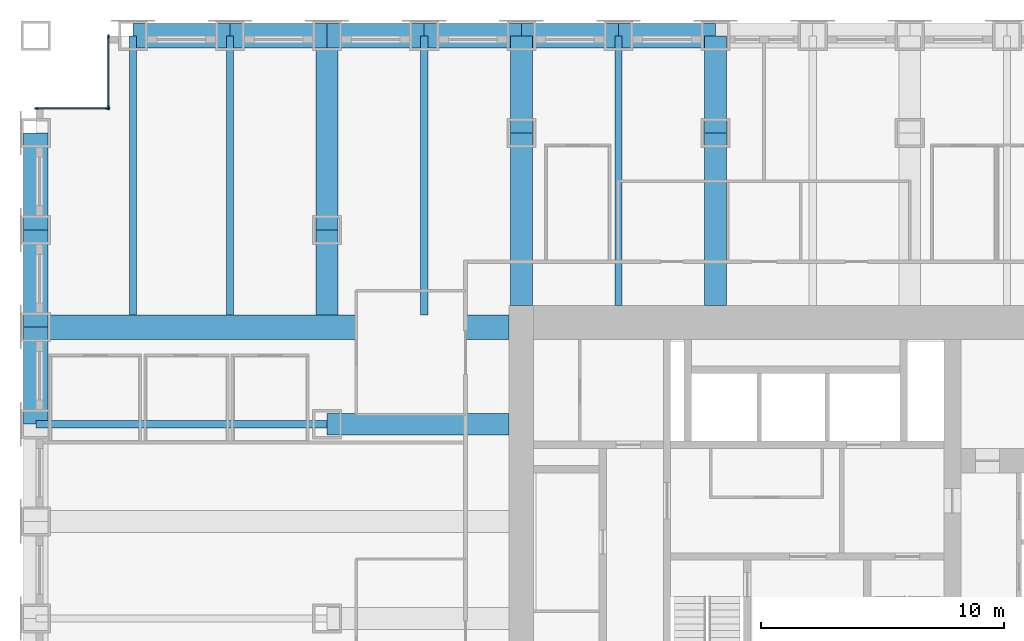
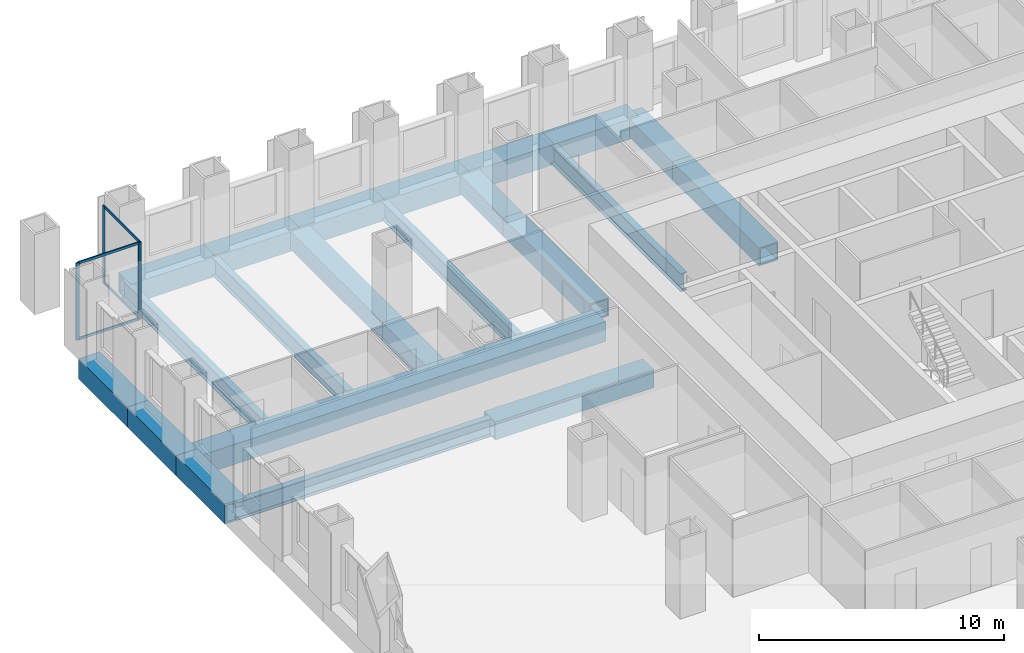
# One storey, part 5 of 14: 22 beams, 8 members, 2 elements without a shape of their own.
"""IFC4 building model written with IfcOpenShell, lengths in metres."""

from ifc_helpers import new_model, si_unit, direction, frame, origin, origin_2d, place, context, subcontext, project, spatial, rectangle, hollow_rectangle, i_section, extrude, material, material_profile, profile_set, type_object, element, aggregate, save


model = new_model("IFC4")

# Units and contexts
model_context = context("Model", 3, precision=1e-05, world=origin(), true_north=direction((0.0, 1.0)))
body_context = subcontext(model_context, "Body", "Model", "MODEL_VIEW")
ifc_project = project(units=[si_unit("LENGTHUNIT", "METRE"), si_unit("AREAUNIT", "SQUARE_METRE"), si_unit("VOLUMEUNIT", "CUBIC_METRE"), si_unit("PLANEANGLEUNIT", "RADIAN"), si_unit("MASSUNIT", "GRAM", prefix="KILO")], contexts=[model_context])

# Site, building, storey
site_placement = place(None, origin())
site = spatial("IfcSite", under=ifc_project, at=site_placement, CompositionType="ELEMENT")
building_placement = place(site_placement, origin())
building = spatial("IfcBuilding", under=site, at=building_placement, Name="Rimbunsela Tower", CompositionType="ELEMENT")
storey_placement = place(building_placement, frame((0.0, 0.0, 59.0)))
storey = spatial("IfcBuildingStorey", under=building, at=storey_placement, Name="L14", CompositionType="ELEMENT", Elevation=59.0)

# Beams
ifc_material_1 = material(Name="Steel BJ 55 (fy 410 MPa)", Category="steel")
ifc_material_profile_1 = material_profile(ifc_material_1, hollow_rectangle(XDim=1.0, YDim=1.0, WallThickness=0.10009765625, at=origin_2d()), Name="BOX 1000x1000x100")
ifc_profile_set_1 = profile_set([ifc_material_profile_1], Name="Steel BJ 55 (fy 410 MPa)")
beam_type_1 = type_object("IfcBeamType", Name="Beam BOX 1000x1000x100", PredefinedType="BEAM", material=ifc_profile_set_1)
for number, where, z_axis, x_axis, name in (
    (1, (-2.0, 32.0, -0.64990234375), (0.0, 1.0, 0.0), (-1.0, 0.0, 0.0), "Beam B3 L14"),
    (2, (-2.0, 36.0, -0.64990234375), (0.0, 1.0, 0.0), (-1.0, 0.0, 0.0), "Beam B3 L14"),
):
    element("IfcBeam", number, at=place(storey_placement, frame(where, z_axis=z_axis, x_axis=x_axis)), inside=storey, type_object=beam_type_1, Name=name, PredefinedType="BEAM", context=body_context, shape_type="SweptSolid", body=[
        extrude(hollow_rectangle(XDim=1.0, YDim=1.0, WallThickness=0.10009765625, at=origin_2d()), origin(), (0.0, 0.0, 1.0), 4.0),
    ])
beam_1_placement = place(storey_placement, frame((-2.0, 36.0, -0.64990234375), z_axis=(1.0, 0.0, 0.0), x_axis=(0.0, 1.0, 0.0)))
element("IfcBeam", 3, at=beam_1_placement, inside=storey, type_object=beam_type_1, Name="Beam B3 L14", PredefinedType="BEAM", context=body_context, shape_type="SweptSolid", body=[
    extrude(hollow_rectangle(XDim=1.0, YDim=1.0, WallThickness=0.10009765625, at=origin_2d()), origin(), (0.0, 0.0, 1.0), 19.5),
])
for number, where, z_axis, x_axis, name in (
    (4, (-2.0, 40.0, -0.64990234375), (0.0, 1.0, 0.0), (-1.0, 0.0, 0.0), "Beam B3 L14"),
    (5, (2.0, 48.0, -0.64990234375), (1.0, 0.0, 0.0), (0.0, 1.0, 0.0), "Beam B3 L14"),
    (6, (6.0, 48.0, -0.64990234375), (1.0, 0.0, 0.0), (0.0, 1.0, 0.0), "Beam B3 L14"),
    (7, (10.0, 48.0, -0.64990234375), (1.0, 0.0, 0.0), (0.0, 1.0, 0.0), "Beam B3 L14"),
    (8, (14.0, 48.0, -0.64990234375), (1.0, 0.0, 0.0), (0.0, 1.0, 0.0), "Beam B3 L14"),
    (9, (18.0, 48.0, -0.64990234375), (1.0, 0.0, 0.0), (0.0, 1.0, 0.0), "Beam B3 L14"),
    (10, (22.0, 48.0, -0.64990234375), (1.0, 0.0, 0.0), (0.0, 1.0, 0.0), "Beam B3 L14"),
):
    element("IfcBeam", number, at=place(storey_placement, frame(where, z_axis=z_axis, x_axis=x_axis)), inside=storey, type_object=beam_type_1, Name=name, PredefinedType="BEAM", context=body_context, shape_type="SweptSolid", body=[
        extrude(hollow_rectangle(XDim=1.0, YDim=1.0, WallThickness=0.10009765625, at=origin_2d()), origin(), (0.0, 0.0, 1.0), 4.0),
    ])
ifc_material_2 = material(Name="Steel BJ 55 (fy 410 MPa)", Category="steel")
ifc_material_profile_2 = material_profile(ifc_material_2, hollow_rectangle(XDim=0.89990234375, YDim=0.89990234375, WallThickness=0.06005859375, at=origin_2d()), Name="BOX 900x900x60")
ifc_profile_set_2 = profile_set([ifc_material_profile_2], Name="Steel BJ 55 (fy 410 MPa)")
beam_type_2 = type_object("IfcBeamType", Name="Beam BOX 900x900x60", PredefinedType="BEAM", material=ifc_profile_set_2)
beam_2_placement = place(storey_placement, frame((10.0, 32.0, -0.60009765625), z_axis=(1.0, 0.0, 0.0), x_axis=(0.0, 1.0, 0.0)))
element("IfcBeam", 11, at=beam_2_placement, inside=storey, type_object=beam_type_2, Name="Beam B1 L14", PredefinedType="BEAM", context=body_context, shape_type="SweptSolid", body=[
    extrude(hollow_rectangle(XDim=0.89990234375, YDim=0.89990234375, WallThickness=0.06005859375, at=origin_2d()), origin(), (0.0, 0.0, 1.0), 7.5),
])
beam_3_placement = place(storey_placement, frame((10.0, 36.5, -0.60009765625), z_axis=(0.0, 1.0, 0.0), x_axis=(-1.0, 0.0, 0.0)))
element("IfcBeam", 12, at=beam_3_placement, inside=storey, type_object=beam_type_2, Name="Beam B1 L14", PredefinedType="BEAM", context=body_context, shape_type="SweptSolid", body=[
    extrude(hollow_rectangle(XDim=0.89990234375, YDim=0.89990234375, WallThickness=0.06005859375, at=origin_2d()), origin(), (0.0, 0.0, 1.0), 3.5),
])
beam_4_placement = place(storey_placement, frame((10.0, 40.0, -0.60009765625), z_axis=(0.0, 1.0, 0.0), x_axis=(-1.0, 0.0, 0.0)))
element("IfcBeam", 13, at=beam_4_placement, inside=storey, type_object=beam_type_2, Name="Beam B1 L14", PredefinedType="BEAM", context=body_context, shape_type="SweptSolid", body=[
    extrude(hollow_rectangle(XDim=0.89990234375, YDim=0.89990234375, WallThickness=0.06005859375, at=origin_2d()), origin(), (0.0, 0.0, 1.0), 8.0),
])
beam_5_placement = place(storey_placement, frame((18.0, 36.89990234375, -0.60009765625), z_axis=(0.0, 1.0, 0.0), x_axis=(-1.0, 0.0, 0.0)))
element("IfcBeam", 14, at=beam_5_placement, inside=storey, type_object=beam_type_2, Name="Beam B1 L14", PredefinedType="BEAM", context=body_context, shape_type="SweptSolid", body=[
    extrude(hollow_rectangle(XDim=0.89990234375, YDim=0.89990234375, WallThickness=0.06005859375, at=origin_2d()), origin(), (0.0, 0.0, 1.0), 7.10009765625),
])
beam_6_placement = place(storey_placement, frame((18.0, 44.0, -0.60009765625), z_axis=(0.0, 1.0, 0.0), x_axis=(-1.0, 0.0, 0.0)))
element("IfcBeam", 15, at=beam_6_placement, inside=storey, type_object=beam_type_2, Name="Beam B1 L14", PredefinedType="BEAM", context=body_context, shape_type="SweptSolid", body=[
    extrude(hollow_rectangle(XDim=0.89990234375, YDim=0.89990234375, WallThickness=0.06005859375, at=origin_2d()), origin(), (0.0, 0.0, 1.0), 4.0),
])
beam_7_placement = place(storey_placement, frame((26.0, 36.89990234375, -0.60009765625), z_axis=(0.0, 1.0, 0.0), x_axis=(-1.0, 0.0, 0.0)))
element("IfcBeam", 16, at=beam_7_placement, inside=storey, type_object=beam_type_2, Name="Beam B1 L14", PredefinedType="BEAM", context=body_context, shape_type="SweptSolid", body=[
    extrude(hollow_rectangle(XDim=0.89990234375, YDim=0.89990234375, WallThickness=0.06005859375, at=origin_2d()), origin(), (0.0, 0.0, 1.0), 7.10009765625),
])
beam_8_placement = place(storey_placement, frame((26.0, 44.0, -0.60009765625), z_axis=(0.0, 1.0, 0.0), x_axis=(-1.0, 0.0, 0.0)))
element("IfcBeam", 17, at=beam_8_placement, inside=storey, type_object=beam_type_2, Name="Beam B1 L14", PredefinedType="BEAM", context=body_context, shape_type="SweptSolid", body=[
    extrude(hollow_rectangle(XDim=0.89990234375, YDim=0.89990234375, WallThickness=0.06005859375, at=origin_2d()), origin(), (0.0, 0.0, 1.0), 4.0),
])
ifc_material_3 = material(Name="Steel BJ 55 (fy 410 MPa)", Category="steel")
ifc_material_profile_3 = material_profile(ifc_material_3, i_section(OverallWidth=0.300048828125, OverallDepth=0.89990234375, WebThickness=0.01611328125, FlangeThickness=0.028076171875, FilletRadius=0.028076171875, at=origin_2d()), Name="H 900x300x16x28")
ifc_profile_set_3 = profile_set([ifc_material_profile_3], Name="Steel BJ 55 (fy 410 MPa)")
beam_type_3 = type_object("IfcBeamType", Name="Beam H 900x300x16x28", PredefinedType="BEAM", material=ifc_profile_set_3)
beam_9_placement = place(storey_placement, frame((-2.0, 32.0, -0.60009765625), z_axis=(1.0, 0.0, 0.0), x_axis=(0.0, 1.0, 0.0)))
element("IfcBeam", 18, at=beam_9_placement, inside=storey, type_object=beam_type_3, Name="Beam B2 L14", PredefinedType="BEAM", context=body_context, shape_type="SweptSolid", body=[
    extrude(i_section(OverallWidth=0.300048828125, OverallDepth=0.89990234375, WebThickness=0.01611328125, FlangeThickness=0.028076171875, FilletRadius=0.028076171875, at=origin_2d()), origin(), (0.0, 0.0, 1.0), 12.0),
])
for number, where, z_axis, x_axis, name in (
    (19, (2.0, 36.5, -0.60009765625), (0.0, 1.0, 0.0), (-1.0, 0.0, 0.0), "Beam B2 L14"),
    (20, (6.0, 36.5, -0.60009765625), (0.0, 1.0, 0.0), (-1.0, 0.0, 0.0), "Beam B2 L14"),
    (21, (14.0, 36.5, -0.60009765625), (0.0, 1.0, 0.0), (-1.0, 0.0, 0.0), "Beam B2 L14"),
):
    element("IfcBeam", number, at=place(storey_placement, frame(where, z_axis=z_axis, x_axis=x_axis)), inside=storey, type_object=beam_type_3, Name=name, PredefinedType="BEAM", context=body_context, shape_type="SweptSolid", body=[
        extrude(i_section(OverallWidth=0.300048828125, OverallDepth=0.89990234375, WebThickness=0.01611328125, FlangeThickness=0.028076171875, FilletRadius=0.028076171875, at=origin_2d()), origin(), (0.0, 0.0, 1.0), 11.5),
    ])
beam_10_placement = place(storey_placement, frame((22.0, 36.89990234375, -0.60009765625), z_axis=(0.0, 1.0, 0.0), x_axis=(-1.0, 0.0, 0.0)))
element("IfcBeam", 22, at=beam_10_placement, inside=storey, type_object=beam_type_3, Name="Beam B2 L14", PredefinedType="BEAM", context=body_context, shape_type="SweptSolid", body=[
    extrude(i_section(OverallWidth=0.300048828125, OverallDepth=0.89990234375, WebThickness=0.01611328125, FlangeThickness=0.028076171875, FilletRadius=0.028076171875, at=origin_2d()), origin(), (0.0, 0.0, 1.0), 11.10009765625),
])

# Curtain wall, members
ifc_material_4 = material(Name="Aluminium curtain wall", Category="aluminium")
curtain_wall_type = type_object("IfcCurtainWallType", Name="Corner glazing", PredefinedType="USERDEFINED", material=ifc_material_4)
curtain_wall_1_placement = place(storey_placement, origin())
curtain_wall_1 = element("IfcCurtainWall", 23, at=curtain_wall_1_placement, inside=storey, type_object=curtain_wall_type, Name="Corner glazing L14", ObjectType="CORNER GLAZING", PredefinedType="USERDEFINED")
ifc_material_5 = material(Name="Aluminium mullion", Category="aluminium")
ifc_material_profile_4 = material_profile(ifc_material_5, rectangle(XDim=0.06005859375, YDim=0.159912109375, at=origin_2d()), Name="Mullion 60x160")
ifc_profile_set_4 = profile_set([ifc_material_profile_4], Name="Aluminium mullion")
member_type_1 = type_object("IfcMemberType", Name="Curtain wall mullion 60x160", PredefinedType="MULLION", material=ifc_profile_set_4)
member_1_placement = place(storey_placement, frame((1.0, 47.969970703125, 0.0), z_axis=(0.0, 0.0, 1.0), x_axis=(1.0, 0.0, 0.0)))
member_1 = element("IfcMember", 24, at=member_1_placement, type_object=member_type_1, Name="CW5 mullion 1", PredefinedType="MULLION", context=body_context, shape_type="SweptSolid", body=[
    extrude(rectangle(XDim=0.06005859375, YDim=0.159912109375, at=origin_2d()), origin(), (0.0, 0.0, 1.0), 3.85009765625),
])
member_2_placement = place(storey_placement, frame((1.0, 45.030029296875, 0.0), z_axis=(0.0, 0.0, 1.0), x_axis=(1.0, 0.0, 0.0)))
member_2 = element("IfcMember", 25, at=member_2_placement, type_object=member_type_1, Name="CW5 mullion 2", PredefinedType="MULLION", context=body_context, shape_type="SweptSolid", body=[
    extrude(rectangle(XDim=0.06005859375, YDim=0.159912109375, at=origin_2d()), origin(), (0.0, 0.0, 1.0), 3.85009765625),
])

curtain_wall_2_placement = place(storey_placement, origin())
curtain_wall_2 = element("IfcCurtainWall", 26, at=curtain_wall_2_placement, inside=storey, type_object=curtain_wall_type, Name="Corner glazing L14", ObjectType="CORNER GLAZING", PredefinedType="USERDEFINED")
member_3_placement = place(storey_placement, frame((0.969970703125, 45.0, 0.0), z_axis=(0.0, 0.0, 1.0), x_axis=(0.0, -1.0, 0.0)))
member_3 = element("IfcMember", 27, at=member_3_placement, type_object=member_type_1, Name="CW5 mullion 1", PredefinedType="MULLION", context=body_context, shape_type="SweptSolid", body=[
    extrude(rectangle(XDim=0.06005859375, YDim=0.159912109375, at=origin_2d()), origin(), (0.0, 0.0, 1.0), 3.85009765625),
])
member_4_placement = place(storey_placement, frame((-1.969970703125, 45.0, 0.0), z_axis=(0.0, 0.0, 1.0), x_axis=(0.0, -1.0, 0.0)))
member_4 = element("IfcMember", 28, at=member_4_placement, type_object=member_type_1, Name="CW5 mullion 2", PredefinedType="MULLION", context=body_context, shape_type="SweptSolid", body=[
    extrude(rectangle(XDim=0.06005859375, YDim=0.159912109375, at=origin_2d()), origin(), (0.0, 0.0, 1.0), 3.85009765625),
])

# Member
ifc_material_6 = material(Name="Aluminium transom", Category="aluminium")
ifc_material_profile_5 = material_profile(ifc_material_6, rectangle(XDim=0.06005859375, YDim=0.1201171875, at=origin_2d()), Name="Transom 60x120")
ifc_profile_set_5 = profile_set([ifc_material_profile_5], Name="Aluminium transom")
member_type_2 = type_object("IfcMemberType", Name="Curtain wall transom 60x120", PredefinedType="USERDEFINED", material=ifc_profile_set_5)
member_5_placement = place(storey_placement, frame((1.0, 47.93994140625, 0.030029296875), z_axis=(0.0, -1.0, 0.0), x_axis=(1.0, 0.0, 0.0)))
member_5 = element("IfcMember", 29, at=member_5_placement, type_object=member_type_2, Name="CW5 transom 1.1", ObjectType="TRANSOM", PredefinedType="USERDEFINED", context=body_context, shape_type="SweptSolid", body=[
    extrude(rectangle(XDim=0.06005859375, YDim=0.1201171875, at=origin_2d()), origin(), (0.0, 0.0, 1.0), 2.8798828125),
])

member_6_placement = place(storey_placement, frame((1.0, 47.93994140625, 3.820068359375), z_axis=(0.0, -1.0, 0.0), x_axis=(1.0, 0.0, 0.0)))
member_6 = element("IfcMember", 30, at=member_6_placement, type_object=member_type_2, Name="CW5 transom 1.2", ObjectType="TRANSOM", PredefinedType="USERDEFINED", context=body_context, shape_type="SweptSolid", body=[
    extrude(rectangle(XDim=0.06005859375, YDim=0.1201171875, at=origin_2d()), origin(), (0.0, 0.0, 1.0), 2.8798828125),
])

aggregate(curtain_wall_1, [member_1, member_2, member_5, member_6])

member_7_placement = place(storey_placement, frame((0.93994140625, 45.0, 0.030029296875), z_axis=(-1.0, 0.0, 0.0), x_axis=(0.0, -1.0, 0.0)))
member_7 = element("IfcMember", 31, at=member_7_placement, type_object=member_type_2, Name="CW5 transom 1.1", ObjectType="TRANSOM", PredefinedType="USERDEFINED", context=body_context, shape_type="SweptSolid", body=[
    extrude(rectangle(XDim=0.06005859375, YDim=0.1201171875, at=origin_2d()), origin(), (0.0, 0.0, 1.0), 2.8798828125),
])

member_8_placement = place(storey_placement, frame((0.93994140625, 45.0, 3.820068359375), z_axis=(-1.0, 0.0, 0.0), x_axis=(0.0, -1.0, 0.0)))
member_8 = element("IfcMember", 32, at=member_8_placement, type_object=member_type_2, Name="CW5 transom 1.2", ObjectType="TRANSOM", PredefinedType="USERDEFINED", context=body_context, shape_type="SweptSolid", body=[
    extrude(rectangle(XDim=0.06005859375, YDim=0.1201171875, at=origin_2d()), origin(), (0.0, 0.0, 1.0), 2.8798828125),
])

aggregate(curtain_wall_2, [member_3, member_4, member_7, member_8])

save(model, "model.ifc")
